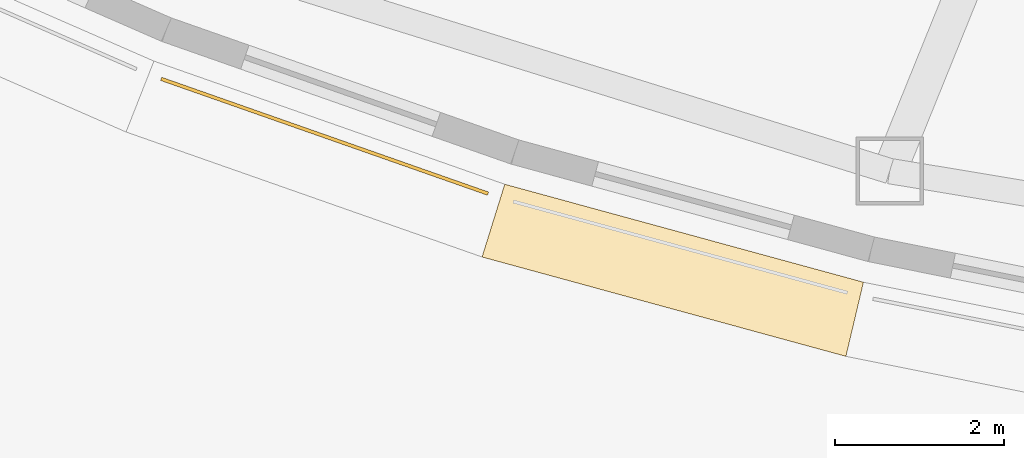
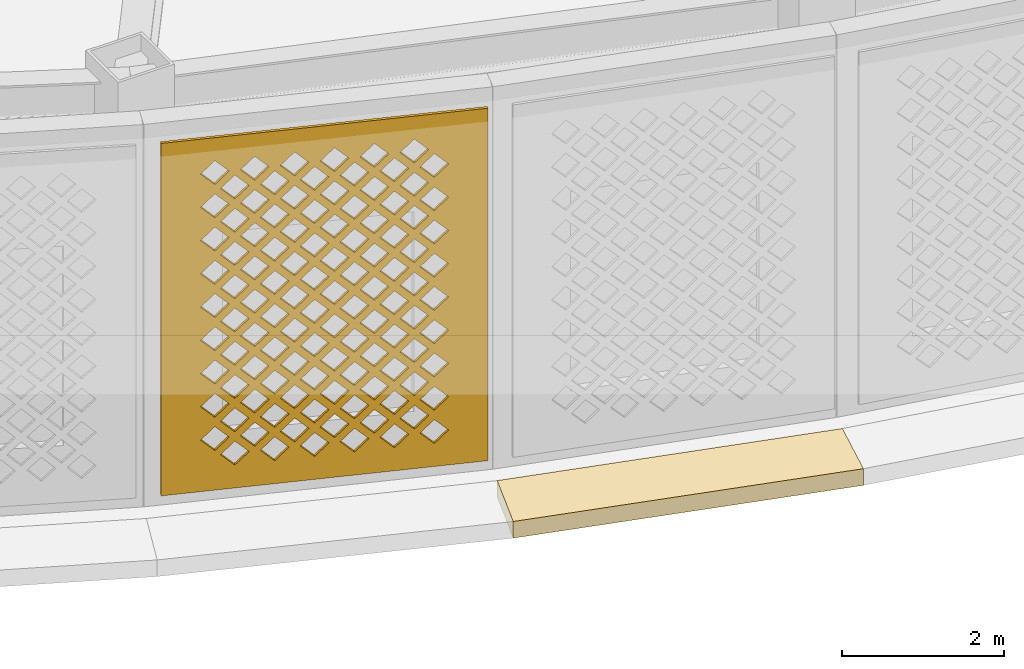
# One storey, part 52 of 74: 2 coverings.
"""IFC4 building model written with IfcOpenShell, lengths in metres."""

from ifc_helpers import new_model, si_unit, direction, frame, origin, place, context, subcontext, project, spatial, polyline, outline, extrude, material, layer, layer_set, type_object, element, save


model = new_model("IFC4")

# Units and contexts
model_context = context("Model", 3, precision=1e-05, world=origin(), true_north=direction((0.0, 1.0)))
body_context = subcontext(model_context, "Body", "Model", "MODEL_VIEW")
ifc_project = project(units=[si_unit("LENGTHUNIT", "METRE"), si_unit("AREAUNIT", "SQUARE_METRE"), si_unit("VOLUMEUNIT", "CUBIC_METRE"), si_unit("PLANEANGLEUNIT", "RADIAN"), si_unit("MASSUNIT", "GRAM", prefix="KILO")], contexts=[model_context])

# Site, building, storey
site_placement = place(None, origin())
site = spatial("IfcSite", under=ifc_project, at=site_placement, CompositionType="ELEMENT")
building_placement = place(site_placement, origin())
building = spatial("IfcBuilding", under=site, at=building_placement, Name="Noorbagh Ring Tower", CompositionType="ELEMENT")
storey_placement = place(building_placement, frame((0.0, 0.0, 7.5)))
storey = spatial("IfcBuildingStorey", under=building, at=storey_placement, Name="L01", CompositionType="ELEMENT", Elevation=7.5)

# Coverings
ifc_material_1 = material(Name="Red sandstone eave", Category="masonry")
covering_type_1 = type_object("IfcCoveringType", Name="STY-CHHAJJA", PredefinedType="USERDEFINED", material=ifc_material_1)
covering_1_placement = place(storey_placement, frame((0.0, 0.0, -0.25)))
element("IfcCovering", 1, at=covering_1_placement, inside=storey, type_object=covering_type_1, Name="Chhajja eave", ObjectType="CHHAJJA", PredefinedType="USERDEFINED", context=body_context, shape_type="SweptSolid", body=[
    extrude(outline(polyline([(-19.49853515625, -37.081298828125), (-15.2568359375, -38.239501953125), (-15.464111328125, -39.115966796875), (-19.7666015625, -37.941162109375), (-19.49853515625, -37.081298828125)])), origin(), (0.0, 0.0, 1.0), 0.25),
])
ifc_material_2 = material(Name="Red sandstone jali", Category="masonry")
ifc_layer = layer(ifc_material_2, 0.0400390625)
ifc_layer_set = layer_set([ifc_layer], Name="Red sandstone jali")
covering_type_2 = type_object("IfcCoveringType", Name="STY-JALI", PredefinedType="USERDEFINED", material=ifc_layer_set)
covering_2_placement = place(storey_placement, frame((-23.568603515625, -35.853759765625, 0.449951171875), z_axis=(-0.331258049676, -0.94354019762, 0.0), x_axis=(0.94354019762, -0.331258049676, 0.0)))
element("IfcCovering", 2, at=covering_2_placement, inside=storey, type_object=covering_type_2, Name="Jali screen", ObjectType="SCREEN", PredefinedType="USERDEFINED", context=body_context, shape_type="SweptSolid", body=[
    extrude(outline(polyline([(0.0, 0.0), (4.096923828125, 0.0), (4.096923828125, 5.300048828125), (0.0, 5.300048828125), (0.0, 0.0)]), holes=[polyline([(0.743408203125, 0.52490234375), (0.92333984375, 0.344970703125), (1.103515625, 0.52490234375), (0.92333984375, 0.705078125), (0.743408203125, 0.52490234375)]), polyline([(1.243408203125, 0.52490234375), (1.42333984375, 0.344970703125), (1.603515625, 0.52490234375), (1.42333984375, 0.705078125), (1.243408203125, 0.52490234375)]), polyline([(1.743408203125, 0.52490234375), (1.92333984375, 0.344970703125), (2.103515625, 0.52490234375), (1.92333984375, 0.705078125), (1.743408203125, 0.52490234375)]), polyline([(2.243408203125, 0.52490234375), (2.42333984375, 0.344970703125), (2.603515625, 0.52490234375), (2.42333984375, 0.705078125), (2.243408203125, 0.52490234375)]), polyline([(2.743408203125, 0.52490234375), (2.92333984375, 0.344970703125), (3.103515625, 0.52490234375), (2.92333984375, 0.705078125), (2.743408203125, 0.52490234375)]), polyline([(3.243408203125, 0.52490234375), (3.42333984375, 0.344970703125), (3.603515625, 0.52490234375), (3.42333984375, 0.705078125), (3.243408203125, 0.52490234375)]), polyline([(0.493408203125, 0.77490234375), (0.67333984375, 0.594970703125), (0.853515625, 0.77490234375), (0.67333984375, 0.955078125), (0.493408203125, 0.77490234375)]), polyline([(0.993408203125, 0.77490234375), (1.17333984375, 0.594970703125), (1.353515625, 0.77490234375), (1.17333984375, 0.955078125), (0.993408203125, 0.77490234375)]), polyline([(1.493408203125, 0.77490234375), (1.67333984375, 0.594970703125), (1.853515625, 0.77490234375), (1.67333984375, 0.955078125), (1.493408203125, 0.77490234375)]), polyline([(1.993408203125, 0.77490234375), (2.17333984375, 0.594970703125), (2.353515625, 0.77490234375), (2.17333984375, 0.955078125), (1.993408203125, 0.77490234375)]), polyline([(2.493408203125, 0.77490234375), (2.67333984375, 0.594970703125), (2.853515625, 0.77490234375), (2.67333984375, 0.955078125), (2.493408203125, 0.77490234375)]), polyline([(2.993408203125, 0.77490234375), (3.17333984375, 0.594970703125), (3.353515625, 0.77490234375), (3.17333984375, 0.955078125), (2.993408203125, 0.77490234375)]), polyline([(0.743408203125, 1.02490234375), (0.92333984375, 0.844970703125), (1.103515625, 1.02490234375), (0.92333984375, 1.205078125), (0.743408203125, 1.02490234375)]), polyline([(1.243408203125, 1.02490234375), (1.42333984375, 0.844970703125), (1.603515625, 1.02490234375), (1.42333984375, 1.205078125), (1.243408203125, 1.02490234375)]), polyline([(1.743408203125, 1.02490234375), (1.92333984375, 0.844970703125), (2.103515625, 1.02490234375), (1.92333984375, 1.205078125), (1.743408203125, 1.02490234375)]), polyline([(2.243408203125, 1.02490234375), (2.42333984375, 0.844970703125), (2.603515625, 1.02490234375), (2.42333984375, 1.205078125), (2.243408203125, 1.02490234375)]), polyline([(2.743408203125, 1.02490234375), (2.92333984375, 0.844970703125), (3.103515625, 1.02490234375), (2.92333984375, 1.205078125), (2.743408203125, 1.02490234375)]), polyline([(3.243408203125, 1.02490234375), (3.42333984375, 0.844970703125), (3.603515625, 1.02490234375), (3.42333984375, 1.205078125), (3.243408203125, 1.02490234375)]), polyline([(0.493408203125, 1.27490234375), (0.67333984375, 1.094970703125), (0.853515625, 1.27490234375), (0.67333984375, 1.455078125), (0.493408203125, 1.27490234375)]), polyline([(0.993408203125, 1.27490234375), (1.17333984375, 1.094970703125), (1.353515625, 1.27490234375), (1.17333984375, 1.455078125), (0.993408203125, 1.27490234375)]), polyline([(1.493408203125, 1.27490234375), (1.67333984375, 1.094970703125), (1.853515625, 1.27490234375), (1.67333984375, 1.455078125), (1.493408203125, 1.27490234375)]), polyline([(1.993408203125, 1.27490234375), (2.17333984375, 1.094970703125), (2.353515625, 1.27490234375), (2.17333984375, 1.455078125), (1.993408203125, 1.27490234375)]), polyline([(2.493408203125, 1.27490234375), (2.67333984375, 1.094970703125), (2.853515625, 1.27490234375), (2.67333984375, 1.455078125), (2.493408203125, 1.27490234375)]), polyline([(2.993408203125, 1.27490234375), (3.17333984375, 1.094970703125), (3.353515625, 1.27490234375), (3.17333984375, 1.455078125), (2.993408203125, 1.27490234375)]), polyline([(0.743408203125, 1.52490234375), (0.92333984375, 1.344970703125), (1.103515625, 1.52490234375), (0.92333984375, 1.705078125), (0.743408203125, 1.52490234375)]), polyline([(1.243408203125, 1.52490234375), (1.42333984375, 1.344970703125), (1.603515625, 1.52490234375), (1.42333984375, 1.705078125), (1.243408203125, 1.52490234375)]), polyline([(1.743408203125, 1.52490234375), (1.92333984375, 1.344970703125), (2.103515625, 1.52490234375), (1.92333984375, 1.705078125), (1.743408203125, 1.52490234375)]), polyline([(2.243408203125, 1.52490234375), (2.42333984375, 1.344970703125), (2.603515625, 1.52490234375), (2.42333984375, 1.705078125), (2.243408203125, 1.52490234375)]), polyline([(2.743408203125, 1.52490234375), (2.92333984375, 1.344970703125), (3.103515625, 1.52490234375), (2.92333984375, 1.705078125), (2.743408203125, 1.52490234375)]), polyline([(3.243408203125, 1.52490234375), (3.42333984375, 1.344970703125), (3.603515625, 1.52490234375), (3.42333984375, 1.705078125), (3.243408203125, 1.52490234375)]), polyline([(0.493408203125, 1.77490234375), (0.67333984375, 1.594970703125), (0.853515625, 1.77490234375), (0.67333984375, 1.955078125), (0.493408203125, 1.77490234375)]), polyline([(0.993408203125, 1.77490234375), (1.17333984375, 1.594970703125), (1.353515625, 1.77490234375), (1.17333984375, 1.955078125), (0.993408203125, 1.77490234375)]), polyline([(1.493408203125, 1.77490234375), (1.67333984375, 1.594970703125), (1.853515625, 1.77490234375), (1.67333984375, 1.955078125), (1.493408203125, 1.77490234375)]), polyline([(1.993408203125, 1.77490234375), (2.17333984375, 1.594970703125), (2.353515625, 1.77490234375), (2.17333984375, 1.955078125), (1.993408203125, 1.77490234375)]), polyline([(2.493408203125, 1.77490234375), (2.67333984375, 1.594970703125), (2.853515625, 1.77490234375), (2.67333984375, 1.955078125), (2.493408203125, 1.77490234375)]), polyline([(2.993408203125, 1.77490234375), (3.17333984375, 1.594970703125), (3.353515625, 1.77490234375), (3.17333984375, 1.955078125), (2.993408203125, 1.77490234375)]), polyline([(0.743408203125, 2.02490234375), (0.92333984375, 1.844970703125), (1.103515625, 2.02490234375), (0.92333984375, 2.205078125), (0.743408203125, 2.02490234375)]), polyline([(1.243408203125, 2.02490234375), (1.42333984375, 1.844970703125), (1.603515625, 2.02490234375), (1.42333984375, 2.205078125), (1.243408203125, 2.02490234375)]), polyline([(1.743408203125, 2.02490234375), (1.92333984375, 1.844970703125), (2.103515625, 2.02490234375), (1.92333984375, 2.205078125), (1.743408203125, 2.02490234375)]), polyline([(2.243408203125, 2.02490234375), (2.42333984375, 1.844970703125), (2.603515625, 2.02490234375), (2.42333984375, 2.205078125), (2.243408203125, 2.02490234375)]), polyline([(2.743408203125, 2.02490234375), (2.92333984375, 1.844970703125), (3.103515625, 2.02490234375), (2.92333984375, 2.205078125), (2.743408203125, 2.02490234375)]), polyline([(3.243408203125, 2.02490234375), (3.42333984375, 1.844970703125), (3.603515625, 2.02490234375), (3.42333984375, 2.205078125), (3.243408203125, 2.02490234375)]), polyline([(0.493408203125, 2.27490234375), (0.67333984375, 2.094970703125), (0.853515625, 2.27490234375), (0.67333984375, 2.455078125), (0.493408203125, 2.27490234375)]), polyline([(0.993408203125, 2.27490234375), (1.17333984375, 2.094970703125), (1.353515625, 2.27490234375), (1.17333984375, 2.455078125), (0.993408203125, 2.27490234375)]), polyline([(1.493408203125, 2.27490234375), (1.67333984375, 2.094970703125), (1.853515625, 2.27490234375), (1.67333984375, 2.455078125), (1.493408203125, 2.27490234375)]), polyline([(1.993408203125, 2.27490234375), (2.17333984375, 2.094970703125), (2.353515625, 2.27490234375), (2.17333984375, 2.455078125), (1.993408203125, 2.27490234375)]), polyline([(2.493408203125, 2.27490234375), (2.67333984375, 2.094970703125), (2.853515625, 2.27490234375), (2.67333984375, 2.455078125), (2.493408203125, 2.27490234375)]), polyline([(2.993408203125, 2.27490234375), (3.17333984375, 2.094970703125), (3.353515625, 2.27490234375), (3.17333984375, 2.455078125), (2.993408203125, 2.27490234375)]), polyline([(0.743408203125, 2.52490234375), (0.92333984375, 2.344970703125), (1.103515625, 2.52490234375), (0.92333984375, 2.705078125), (0.743408203125, 2.52490234375)]), polyline([(1.243408203125, 2.52490234375), (1.42333984375, 2.344970703125), (1.603515625, 2.52490234375), (1.42333984375, 2.705078125), (1.243408203125, 2.52490234375)]), polyline([(1.743408203125, 2.52490234375), (1.92333984375, 2.344970703125), (2.103515625, 2.52490234375), (1.92333984375, 2.705078125), (1.743408203125, 2.52490234375)]), polyline([(2.243408203125, 2.52490234375), (2.42333984375, 2.344970703125), (2.603515625, 2.52490234375), (2.42333984375, 2.705078125), (2.243408203125, 2.52490234375)]), polyline([(2.743408203125, 2.52490234375), (2.92333984375, 2.344970703125), (3.103515625, 2.52490234375), (2.92333984375, 2.705078125), (2.743408203125, 2.52490234375)]), polyline([(3.243408203125, 2.52490234375), (3.42333984375, 2.344970703125), (3.603515625, 2.52490234375), (3.42333984375, 2.705078125), (3.243408203125, 2.52490234375)]), polyline([(0.493408203125, 2.77490234375), (0.67333984375, 2.594970703125), (0.853515625, 2.77490234375), (0.67333984375, 2.955078125), (0.493408203125, 2.77490234375)]), polyline([(0.993408203125, 2.77490234375), (1.17333984375, 2.594970703125), (1.353515625, 2.77490234375), (1.17333984375, 2.955078125), (0.993408203125, 2.77490234375)]), polyline([(1.493408203125, 2.77490234375), (1.67333984375, 2.594970703125), (1.853515625, 2.77490234375), (1.67333984375, 2.955078125), (1.493408203125, 2.77490234375)]), polyline([(1.993408203125, 2.77490234375), (2.17333984375, 2.594970703125), (2.353515625, 2.77490234375), (2.17333984375, 2.955078125), (1.993408203125, 2.77490234375)]), polyline([(2.493408203125, 2.77490234375), (2.67333984375, 2.594970703125), (2.853515625, 2.77490234375), (2.67333984375, 2.955078125), (2.493408203125, 2.77490234375)]), polyline([(2.993408203125, 2.77490234375), (3.17333984375, 2.594970703125), (3.353515625, 2.77490234375), (3.17333984375, 2.955078125), (2.993408203125, 2.77490234375)]), polyline([(0.743408203125, 3.02490234375), (0.92333984375, 2.844970703125), (1.103515625, 3.02490234375), (0.92333984375, 3.205078125), (0.743408203125, 3.02490234375)]), polyline([(1.243408203125, 3.02490234375), (1.42333984375, 2.844970703125), (1.603515625, 3.02490234375), (1.42333984375, 3.205078125), (1.243408203125, 3.02490234375)]), polyline([(1.743408203125, 3.02490234375), (1.92333984375, 2.844970703125), (2.103515625, 3.02490234375), (1.92333984375, 3.205078125), (1.743408203125, 3.02490234375)]), polyline([(2.243408203125, 3.02490234375), (2.42333984375, 2.844970703125), (2.603515625, 3.02490234375), (2.42333984375, 3.205078125), (2.243408203125, 3.02490234375)]), polyline([(2.743408203125, 3.02490234375), (2.92333984375, 2.844970703125), (3.103515625, 3.02490234375), (2.92333984375, 3.205078125), (2.743408203125, 3.02490234375)]), polyline([(3.243408203125, 3.02490234375), (3.42333984375, 2.844970703125), (3.603515625, 3.02490234375), (3.42333984375, 3.205078125), (3.243408203125, 3.02490234375)]), polyline([(0.493408203125, 3.27490234375), (0.67333984375, 3.094970703125), (0.853515625, 3.27490234375), (0.67333984375, 3.455078125), (0.493408203125, 3.27490234375)]), polyline([(0.993408203125, 3.27490234375), (1.17333984375, 3.094970703125), (1.353515625, 3.27490234375), (1.17333984375, 3.455078125), (0.993408203125, 3.27490234375)]), polyline([(1.493408203125, 3.27490234375), (1.67333984375, 3.094970703125), (1.853515625, 3.27490234375), (1.67333984375, 3.455078125), (1.493408203125, 3.27490234375)]), polyline([(1.993408203125, 3.27490234375), (2.17333984375, 3.094970703125), (2.353515625, 3.27490234375), (2.17333984375, 3.455078125), (1.993408203125, 3.27490234375)]), polyline([(2.493408203125, 3.27490234375), (2.67333984375, 3.094970703125), (2.853515625, 3.27490234375), (2.67333984375, 3.455078125), (2.493408203125, 3.27490234375)]), polyline([(2.993408203125, 3.27490234375), (3.17333984375, 3.094970703125), (3.353515625, 3.27490234375), (3.17333984375, 3.455078125), (2.993408203125, 3.27490234375)]), polyline([(0.743408203125, 3.52490234375), (0.92333984375, 3.344970703125), (1.103515625, 3.52490234375), (0.92333984375, 3.705078125), (0.743408203125, 3.52490234375)]), polyline([(1.243408203125, 3.52490234375), (1.42333984375, 3.344970703125), (1.603515625, 3.52490234375), (1.42333984375, 3.705078125), (1.243408203125, 3.52490234375)]), polyline([(1.743408203125, 3.52490234375), (1.92333984375, 3.344970703125), (2.103515625, 3.52490234375), (1.92333984375, 3.705078125), (1.743408203125, 3.52490234375)]), polyline([(2.243408203125, 3.52490234375), (2.42333984375, 3.344970703125), (2.603515625, 3.52490234375), (2.42333984375, 3.705078125), (2.243408203125, 3.52490234375)]), polyline([(2.743408203125, 3.52490234375), (2.92333984375, 3.344970703125), (3.103515625, 3.52490234375), (2.92333984375, 3.705078125), (2.743408203125, 3.52490234375)]), polyline([(3.243408203125, 3.52490234375), (3.42333984375, 3.344970703125), (3.603515625, 3.52490234375), (3.42333984375, 3.705078125), (3.243408203125, 3.52490234375)]), polyline([(0.493408203125, 3.77490234375), (0.67333984375, 3.594970703125), (0.853515625, 3.77490234375), (0.67333984375, 3.955078125), (0.493408203125, 3.77490234375)]), polyline([(0.993408203125, 3.77490234375), (1.17333984375, 3.594970703125), (1.353515625, 3.77490234375), (1.17333984375, 3.955078125), (0.993408203125, 3.77490234375)]), polyline([(1.493408203125, 3.77490234375), (1.67333984375, 3.594970703125), (1.853515625, 3.77490234375), (1.67333984375, 3.955078125), (1.493408203125, 3.77490234375)]), polyline([(1.993408203125, 3.77490234375), (2.17333984375, 3.594970703125), (2.353515625, 3.77490234375), (2.17333984375, 3.955078125), (1.993408203125, 3.77490234375)]), polyline([(2.493408203125, 3.77490234375), (2.67333984375, 3.594970703125), (2.853515625, 3.77490234375), (2.67333984375, 3.955078125), (2.493408203125, 3.77490234375)]), polyline([(2.993408203125, 3.77490234375), (3.17333984375, 3.594970703125), (3.353515625, 3.77490234375), (3.17333984375, 3.955078125), (2.993408203125, 3.77490234375)]), polyline([(0.743408203125, 4.02490234375), (0.92333984375, 3.844970703125), (1.103515625, 4.02490234375), (0.92333984375, 4.205078125), (0.743408203125, 4.02490234375)]), polyline([(1.243408203125, 4.02490234375), (1.42333984375, 3.844970703125), (1.603515625, 4.02490234375), (1.42333984375, 4.205078125), (1.243408203125, 4.02490234375)]), polyline([(1.743408203125, 4.02490234375), (1.92333984375, 3.844970703125), (2.103515625, 4.02490234375), (1.92333984375, 4.205078125), (1.743408203125, 4.02490234375)]), polyline([(2.243408203125, 4.02490234375), (2.42333984375, 3.844970703125), (2.603515625, 4.02490234375), (2.42333984375, 4.205078125), (2.243408203125, 4.02490234375)]), polyline([(2.743408203125, 4.02490234375), (2.92333984375, 3.844970703125), (3.103515625, 4.02490234375), (2.92333984375, 4.205078125), (2.743408203125, 4.02490234375)]), polyline([(3.243408203125, 4.02490234375), (3.42333984375, 3.844970703125), (3.603515625, 4.02490234375), (3.42333984375, 4.205078125), (3.243408203125, 4.02490234375)]), polyline([(0.493408203125, 4.27490234375), (0.67333984375, 4.094970703125), (0.853515625, 4.27490234375), (0.67333984375, 4.455078125), (0.493408203125, 4.27490234375)]), polyline([(0.993408203125, 4.27490234375), (1.17333984375, 4.094970703125), (1.353515625, 4.27490234375), (1.17333984375, 4.455078125), (0.993408203125, 4.27490234375)]), polyline([(1.493408203125, 4.27490234375), (1.67333984375, 4.094970703125), (1.853515625, 4.27490234375), (1.67333984375, 4.455078125), (1.493408203125, 4.27490234375)]), polyline([(1.993408203125, 4.27490234375), (2.17333984375, 4.094970703125), (2.353515625, 4.27490234375), (2.17333984375, 4.455078125), (1.993408203125, 4.27490234375)]), polyline([(2.493408203125, 4.27490234375), (2.67333984375, 4.094970703125), (2.853515625, 4.27490234375), (2.67333984375, 4.455078125), (2.493408203125, 4.27490234375)]), polyline([(2.993408203125, 4.27490234375), (3.17333984375, 4.094970703125), (3.353515625, 4.27490234375), (3.17333984375, 4.455078125), (2.993408203125, 4.27490234375)]), polyline([(0.743408203125, 4.52490234375), (0.92333984375, 4.344970703125), (1.103515625, 4.52490234375), (0.92333984375, 4.705078125), (0.743408203125, 4.52490234375)]), polyline([(1.243408203125, 4.52490234375), (1.42333984375, 4.344970703125), (1.603515625, 4.52490234375), (1.42333984375, 4.705078125), (1.243408203125, 4.52490234375)]), polyline([(1.743408203125, 4.52490234375), (1.92333984375, 4.344970703125), (2.103515625, 4.52490234375), (1.92333984375, 4.705078125), (1.743408203125, 4.52490234375)]), polyline([(2.243408203125, 4.52490234375), (2.42333984375, 4.344970703125), (2.603515625, 4.52490234375), (2.42333984375, 4.705078125), (2.243408203125, 4.52490234375)]), polyline([(2.743408203125, 4.52490234375), (2.92333984375, 4.344970703125), (3.103515625, 4.52490234375), (2.92333984375, 4.705078125), (2.743408203125, 4.52490234375)]), polyline([(3.243408203125, 4.52490234375), (3.42333984375, 4.344970703125), (3.603515625, 4.52490234375), (3.42333984375, 4.705078125), (3.243408203125, 4.52490234375)]), polyline([(0.493408203125, 4.77490234375), (0.67333984375, 4.594970703125), (0.853515625, 4.77490234375), (0.67333984375, 4.955078125), (0.493408203125, 4.77490234375)]), polyline([(0.993408203125, 4.77490234375), (1.17333984375, 4.594970703125), (1.353515625, 4.77490234375), (1.17333984375, 4.955078125), (0.993408203125, 4.77490234375)]), polyline([(1.493408203125, 4.77490234375), (1.67333984375, 4.594970703125), (1.853515625, 4.77490234375), (1.67333984375, 4.955078125), (1.493408203125, 4.77490234375)]), polyline([(1.993408203125, 4.77490234375), (2.17333984375, 4.594970703125), (2.353515625, 4.77490234375), (2.17333984375, 4.955078125), (1.993408203125, 4.77490234375)]), polyline([(2.493408203125, 4.77490234375), (2.67333984375, 4.594970703125), (2.853515625, 4.77490234375), (2.67333984375, 4.955078125), (2.493408203125, 4.77490234375)]), polyline([(2.993408203125, 4.77490234375), (3.17333984375, 4.594970703125), (3.353515625, 4.77490234375), (3.17333984375, 4.955078125), (2.993408203125, 4.77490234375)])]), origin(), (0.0, 0.0, -1.0), 0.0400390625),
])

save(model, "model.ifc")
